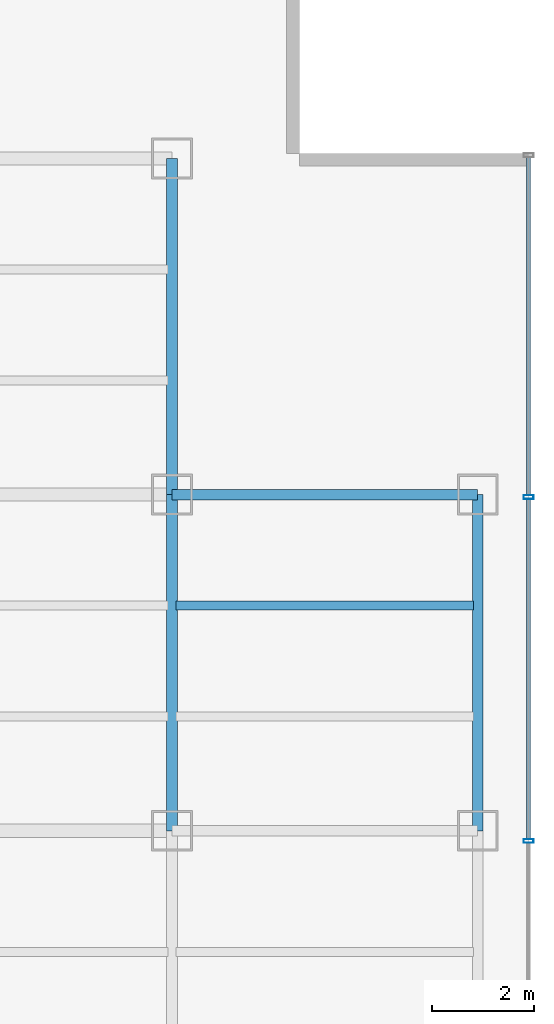
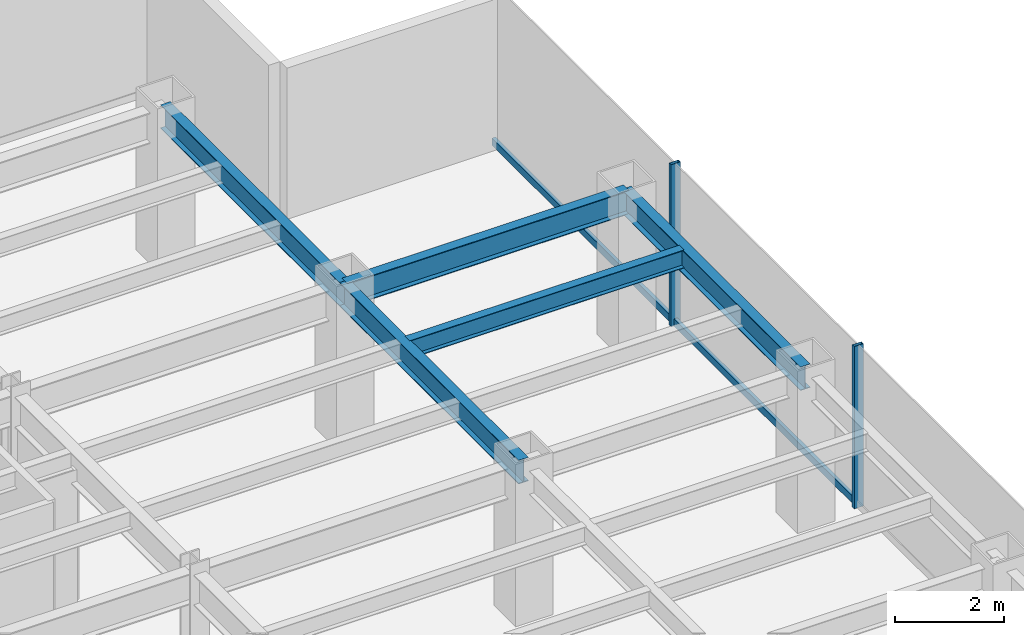
# One storey, part 12 of 26: 5 beams, 4 members, 1 element without a shape of its own.
"""IFC4 building model written with IfcOpenShell, lengths in metres."""

from ifc_helpers import new_model, si_unit, derived_unit, direction, frame, origin, origin_2d, place, context, subcontext, project, spatial, hollow_rectangle, i_section, extrude, source, transform, mapped, material, material_profile, profile_set, type_object, element, aggregate, save


model = new_model("IFC4")

# Units and contexts
model_context = context("Model", 3, precision=1e-05, world=origin(), true_north=direction((0.0, 1.0)))
body_context = subcontext(model_context, "Body", "Model", "MODEL_VIEW")
ifc_project = project(units=[si_unit("LENGTHUNIT", "METRE"), si_unit("AREAUNIT", "SQUARE_METRE"), si_unit("VOLUMEUNIT", "CUBIC_METRE"), si_unit("PLANEANGLEUNIT", "RADIAN"), si_unit("MASSUNIT", "GRAM", prefix="KILO"), derived_unit("THERMALTRANSMITTANCEUNIT", [(si_unit("POWERUNIT", "WATT"), 1), (si_unit("LENGTHUNIT", "METRE"), -2), (si_unit("THERMODYNAMICTEMPERATUREUNIT", "KELVIN"), -1)])], contexts=[model_context])

# Site, building, storey
site_placement = place(None, origin())
site = spatial("IfcSite", under=ifc_project, at=site_placement, CompositionType="ELEMENT")
building_placement = place(site_placement, origin())
building = spatial("IfcBuilding", under=site, at=building_placement, Name="Skarnbrae Concourse Arena and Tower", CompositionType="ELEMENT")
storey_placement = place(building_placement, frame((0.0, 0.0, 99.60009765625)))
storey = spatial("IfcBuildingStorey", under=building, at=storey_placement, Name="L24", CompositionType="ELEMENT", Elevation=99.60009765625)

# Beams
ifc_material_1 = material(Name="Steel CSA G40.21 350W", Category="steel")
ifc_material_profile_1 = material_profile(ifc_material_1, i_section(OverallWidth=0.208984375, OverallDepth=0.532958984375, WebThickness=0.01025390625, FlangeThickness=0.015625, at=origin_2d()), Name="W530X92")
ifc_profile_set_1 = profile_set([ifc_material_profile_1], Name="Steel CSA G40.21 350W")
beam_type_1 = type_object("IfcBeamType", Name="BM-SPAN-W530X92", PredefinedType="SPANDREL", material=ifc_profile_set_1)
shared_shape_1 = source(origin(), body_context, "Body", "SweptSolid", [
    extrude(i_section(OverallWidth=0.208984375, OverallDepth=0.532958984375, WebThickness=0.01025390625, FlangeThickness=0.015625, at=origin_2d()), origin(), (0.0, 0.0, 1.0), 6.0),
])
beam_1_placement = place(storey_placement, frame((49.0, 27.800048828125, 3.13330078125), z_axis=(1.0, 0.0, 0.0), x_axis=(0.0, 1.0, 0.0)))
element("IfcBeam", 1, at=beam_1_placement, inside=storey, type_object=beam_type_1, Name="L24 Perimeter spandrel Y27.8-8", PredefinedType="SPANDREL", context=body_context, shape_type="MappedRepresentation", body=[
    mapped(shared_shape_1, transform((0.0, 0.0, 0.0))),
])
shared_shape_2 = source(origin(), body_context, "Body", "SweptSolid", [
    extrude(i_section(OverallWidth=0.208984375, OverallDepth=0.532958984375, WebThickness=0.01025390625, FlangeThickness=0.015625, at=origin_2d()), origin(), (0.0, 0.0, 1.0), 6.60009765625),
])
for number, where, z_axis, x_axis, name in (
    (2, (49.0, 21.199951171875, 3.13330078125), (0.0, 1.0, 0.0), (-1.0, 0.0, 0.0), "L24 Perimeter spandrel X49.0-3"),
    (3, (55.0, 21.199951171875, 3.13330078125), (0.0, 1.0, 0.0), (-1.0, 0.0, 0.0), "L24 Perimeter spandrel X55.0-3"),
):
    element("IfcBeam", number, at=place(storey_placement, frame(where, z_axis=z_axis, x_axis=x_axis)), inside=storey, type_object=beam_type_1, Name=name, PredefinedType="SPANDREL", context=body_context, shape_type="MappedRepresentation", body=[
        mapped(shared_shape_2, transform((0.0, 0.0, 0.0))),
    ])
shared_shape_3 = source(origin(), body_context, "Body", "SweptSolid", [
    extrude(i_section(OverallWidth=0.208984375, OverallDepth=0.532958984375, WebThickness=0.01025390625, FlangeThickness=0.015625, at=origin_2d()), origin(), (0.0, 0.0, 1.0), 6.599853515625),
])
beam_2_placement = place(storey_placement, frame((49.0, 27.800048828125, 3.13330078125), z_axis=(0.0, 1.0, 0.0), x_axis=(-1.0, 0.0, 0.0)))
element("IfcBeam", 4, at=beam_2_placement, inside=storey, type_object=beam_type_1, Name="L24 Perimeter spandrel X49.0-4", PredefinedType="SPANDREL", context=body_context, shape_type="MappedRepresentation", body=[
    mapped(shared_shape_3, transform((0.0, 0.0, 0.0))),
])
ifc_material_profile_2 = material_profile(ifc_material_1, i_section(OverallWidth=0.177978515625, OverallDepth=0.406982421875, WebThickness=0.0078125, FlangeThickness=0.0126953125, at=origin_2d()), Name="W410X60")
ifc_profile_set_2 = profile_set([ifc_material_profile_2], Name="Steel CSA G40.21 350W")
beam_type_2 = type_object("IfcBeamType", Name="BM-JOIST-W410X60", PredefinedType="JOIST", material=ifc_profile_set_2)
shared_shape_4 = source(origin(), body_context, "Body", "SweptSolid", [
    extrude(i_section(OverallWidth=0.177978515625, OverallDepth=0.406982421875, WebThickness=0.0078125, FlangeThickness=0.0126953125, at=origin_2d()), origin(), (0.0, 0.0, 1.0), 5.83984375),
])
beam_3_placement = place(storey_placement, frame((49.080078125, 25.6220703125, 3.1962890625), z_axis=(1.0, 0.0, 0.0), x_axis=(0.0, 1.0, 0.0)))
element("IfcBeam", 5, at=beam_3_placement, inside=storey, type_object=beam_type_2, Name="L24 Secondary floor joist 2.2.8", PredefinedType="JOIST", context=body_context, shape_type="MappedRepresentation", body=[
    mapped(shared_shape_4, transform((0.0, 0.0, 0.0))),
])

# Curtain wall, members
ifc_material_2 = material(Name="Bronze anodised aluminium 6063-T6", Category="aluminium")
curtain_wall_type = type_object("IfcCurtainWallType", Name="CW-SYS-04-MIDZONE", PredefinedType="USERDEFINED", material=ifc_material_2)
curtain_wall_placement = place(storey_placement, origin())
curtain_wall = element("IfcCurtainWall", 6, at=curtain_wall_placement, inside=storey, type_object=curtain_wall_type, Name="L24 Unitised curtain wall CW-L24-E04", ObjectType="UNITISED CURTAIN WALL", PredefinedType="USERDEFINED")
ifc_material_profile_3 = material_profile(ifc_material_2, hollow_rectangle(XDim=0.074951171875, YDim=0.195068359375, WallThickness=0.00439453125, at=origin_2d()), Name="ALU-MULL-75X195")
ifc_profile_set_3 = profile_set([ifc_material_profile_3], Name="Bronze anodised aluminium 6063-T6")
member_type_1 = type_object("IfcMemberType", Name="CWM-CW-04", PredefinedType="MULLION", material=ifc_profile_set_3)
shared_shape_5 = source(origin(), body_context, "Body", "SweptSolid", [
    extrude(hollow_rectangle(XDim=0.074951171875, YDim=0.195068359375, WallThickness=0.00439453125, at=origin_2d()), origin(), (0.0, 0.0, 1.0), 3.64990234375),
])
member_1_placement = place(storey_placement, frame((56.0, 21.0, 0.0), z_axis=(0.0, 0.0, 1.0), x_axis=(0.0, 1.0, 0.0)))
member_1 = element("IfcMember", 7, at=member_1_placement, type_object=member_type_1, Name="CW-L24-E04 Mullion 3", PredefinedType="MULLION", context=body_context, shape_type="MappedRepresentation", body=[
    mapped(shared_shape_5, transform((0.0, 0.0, 0.0))),
])
member_2_placement = place(storey_placement, frame((56.0, 27.75, 0.0), z_axis=(0.0, 0.0, 1.0), x_axis=(0.0, 1.0, 0.0)))
member_2 = element("IfcMember", 8, at=member_2_placement, type_object=member_type_1, Name="CW-L24-E04 Mullion 4", PredefinedType="MULLION", context=body_context, shape_type="MappedRepresentation", body=[
    mapped(shared_shape_5, transform((0.0, 0.0, 0.0))),
])
ifc_material_profile_4 = material_profile(ifc_material_2, hollow_rectangle(XDim=0.074951171875, YDim=0.159912109375, WallThickness=0.00439453125, at=origin_2d()), Name="ALU-TRAN-75X160")
ifc_profile_set_4 = profile_set([ifc_material_profile_4], Name="Bronze anodised aluminium 6063-T6")
member_type_2 = type_object("IfcMemberType", Name="CWT-CW-04", PredefinedType="USERDEFINED", material=ifc_profile_set_4)
shared_shape_6 = source(origin(), body_context, "Body", "SweptSolid", [
    extrude(hollow_rectangle(XDim=0.074951171875, YDim=0.159912109375, WallThickness=0.00439453125, at=origin_2d()), origin(), (0.0, 0.0, 1.0), 6.637451171875),
])
member_3_placement = place(storey_placement, frame((56.0, 27.78759765625, 0.079833984375), z_axis=(0.0, 1.0, 0.0), x_axis=(-1.0, 0.0, 0.0)))
member_3 = element("IfcMember", 9, at=member_3_placement, type_object=member_type_2, Name="CW-L24-E04 Transom 4", ObjectType="TRANSOM", PredefinedType="USERDEFINED", context=body_context, shape_type="MappedRepresentation", body=[
    mapped(shared_shape_6, transform((0.0, 0.0, 0.0))),
])
shared_shape_7 = source(origin(), body_context, "Body", "SweptSolid", [
    extrude(hollow_rectangle(XDim=0.074951171875, YDim=0.159912109375, WallThickness=0.00439453125, at=origin_2d()), origin(), (0.0, 0.0, 1.0), 6.6748046875),
])
member_4_placement = place(storey_placement, frame((56.0, 21.03759765625, 0.079833984375), z_axis=(0.0, 1.0, 0.0), x_axis=(-1.0, 0.0, 0.0)))
member_4 = element("IfcMember", 10, at=member_4_placement, type_object=member_type_2, Name="CW-L24-E04 Transom 3", ObjectType="TRANSOM", PredefinedType="USERDEFINED", context=body_context, shape_type="MappedRepresentation", body=[
    mapped(shared_shape_7, transform((0.0, 0.0, 0.0))),
])
aggregate(curtain_wall, [member_1, member_2, member_4, member_3])

save(model, "model.ifc")
